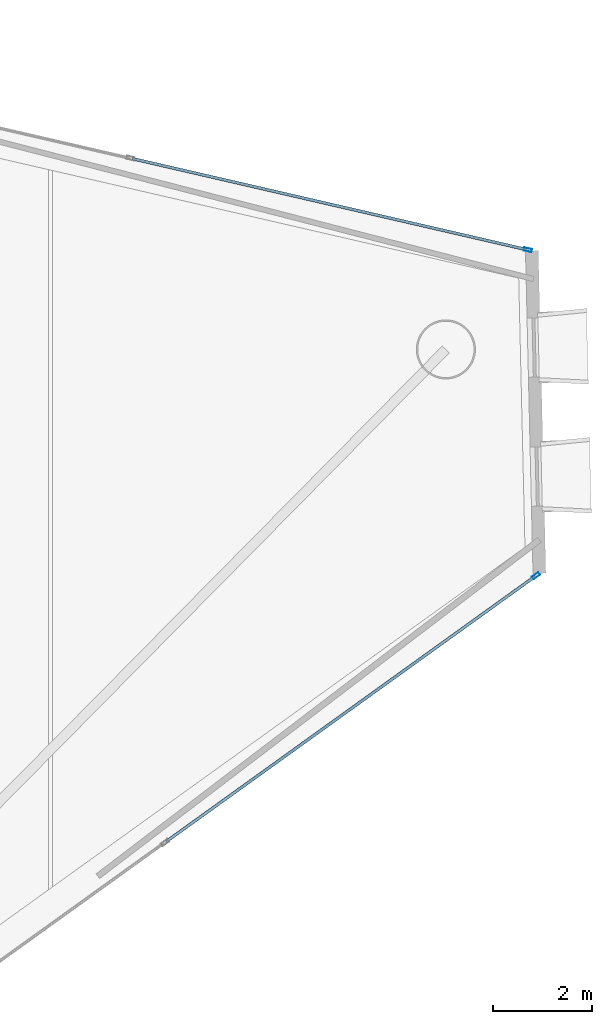
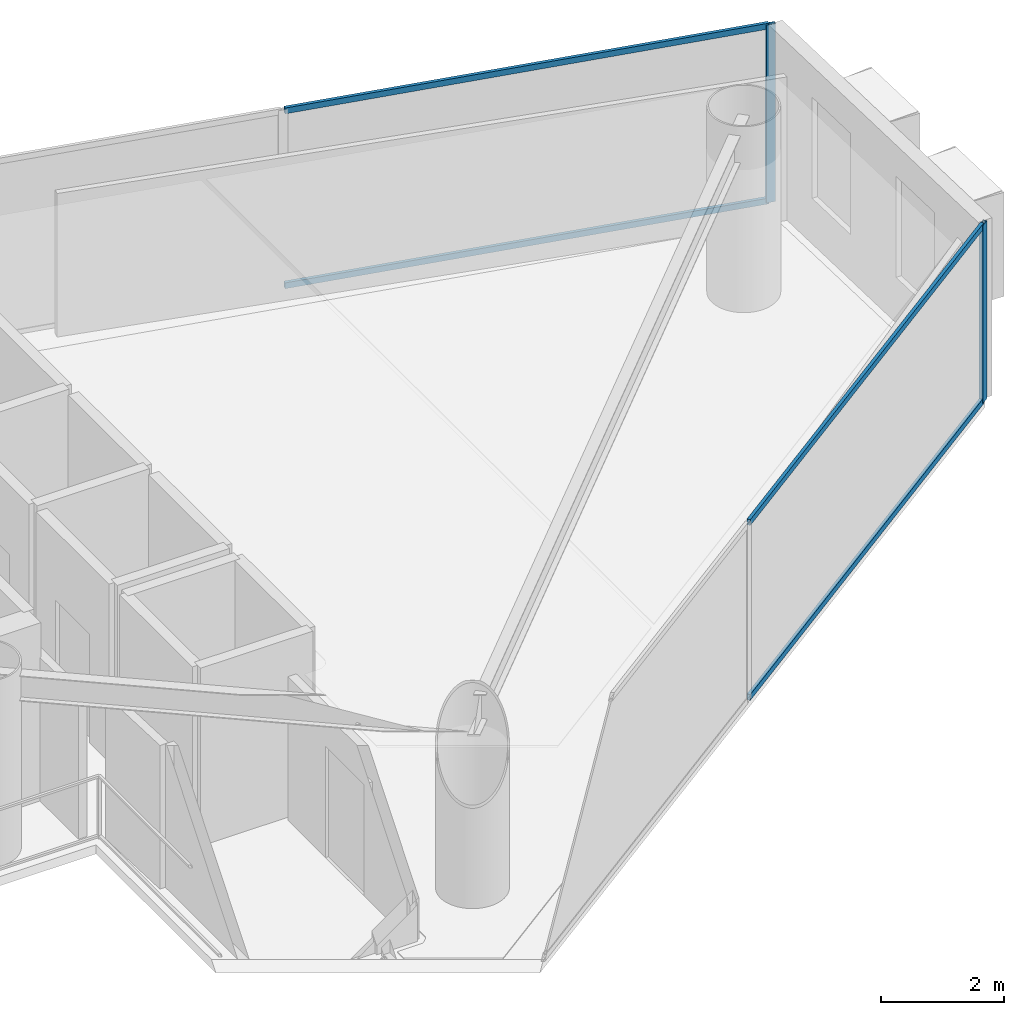
# One storey, part 14 of 22: 6 members, 2 elements without a shape of their own.
"""IFC4 building model written with IfcOpenShell, lengths in metres."""

from ifc_helpers import new_model, si_unit, direction, frame, origin, origin_2d, place, context, subcontext, project, spatial, hollow_rectangle, extrude, material, layer, layer_set, material_profile, profile_set, type_object, element, aggregate, save


model = new_model("IFC4")

# Units and contexts
model_context = context("Model", 3, precision=1e-05, world=origin(), true_north=direction((0.0, 1.0)))
body_context = subcontext(model_context, "Body", "Model", "MODEL_VIEW")
ifc_project = project(units=[si_unit("LENGTHUNIT", "METRE"), si_unit("AREAUNIT", "SQUARE_METRE"), si_unit("VOLUMEUNIT", "CUBIC_METRE"), si_unit("PLANEANGLEUNIT", "RADIAN"), si_unit("MASSUNIT", "GRAM", prefix="KILO")], contexts=[model_context])

# Site, building, storey
site_placement = place(None, origin())
site = spatial("IfcSite", under=ifc_project, at=site_placement, CompositionType="ELEMENT")
building_placement = place(site_placement, origin())
building = spatial("IfcBuilding", under=site, at=building_placement, Name="Qianvela Tower", CompositionType="ELEMENT")
storey_placement = place(building_placement, frame((0.0, 0.0, 200.300048828125)))
storey = spatial("IfcBuildingStorey", under=building, at=storey_placement, Name="L51", CompositionType="ELEMENT", Elevation=200.300048828125)

# Curtain wall, member
ifc_material_1 = material(Name="Anodised Architectural Aluminium and Low-E Glass", Category="aluminium")
ifc_layer = layer(ifc_material_1, 0.159912109375)
ifc_layer_set = layer_set([ifc_layer], Name="Anodised Architectural Aluminium and Low-E Glass")
curtain_wall_type = type_object("IfcCurtainWallType", Name="CW-COLIV-Z56", PredefinedType="USERDEFINED", material=ifc_layer_set)
curtain_wall_1_placement = place(storey_placement, origin())
curtain_wall_1 = element("IfcCurtainWall", 1, at=curtain_wall_1_placement, inside=storey, type_object=curtain_wall_type, Name="L51 CW-COLIV-Z56 Curtain Wall 02A", ObjectType="CURTAIN_WALL_SYSTEM", PredefinedType="USERDEFINED")
ifc_material_2 = material(Name="Anodised Architectural Aluminium 6063-T6", Category="aluminium")
ifc_material_profile_1 = material_profile(ifc_material_2, hollow_rectangle(XDim=0.06494140625, YDim=0.159912109375, WallThickness=0.0048828125, at=origin_2d()), Name="ALU-MULL-65x160")
ifc_profile_set_1 = profile_set([ifc_material_profile_1], Name="Anodised Architectural Aluminium 6063-T6")
member_type_1 = type_object("IfcMemberType", Name="CW-COLIV-Z56-MULL", PredefinedType="MULLION", material=ifc_profile_set_1)
member_1_placement = place(storey_placement, frame((58.560546875, 33.2880859375, 0.0), z_axis=(0.0, 0.0, 1.0), x_axis=(-0.224831349031, -0.974397693189, 0.0)))
member_1 = element("IfcMember", 2, at=member_1_placement, type_object=member_type_1, Name="CW-5 mullion 1", PredefinedType="MULLION", context=body_context, shape_type="SweptSolid", body=[
    extrude(hollow_rectangle(XDim=0.06494140625, YDim=0.159912109375, WallThickness=0.0048828125, at=origin_2d()), origin(), (0.0, 0.0, 1.0), 3.52001953125),
])

curtain_wall_2_placement = place(storey_placement, origin())
curtain_wall_2 = element("IfcCurtainWall", 3, at=curtain_wall_2_placement, inside=storey, type_object=curtain_wall_type, Name="L51 CW-COLIV-Z56 Curtain Wall 06B", ObjectType="CURTAIN_WALL_SYSTEM", PredefinedType="USERDEFINED")
member_2_placement = place(storey_placement, frame((58.726318359375, 26.68212890625, 0.0), z_axis=(0.0, 0.0, 1.0), x_axis=(-0.583724053357, 0.811952110369, 0.0)))
member_2 = element("IfcMember", 4, at=member_2_placement, type_object=member_type_1, Name="CW-5 mullion 4", PredefinedType="MULLION", context=body_context, shape_type="SweptSolid", body=[
    extrude(hollow_rectangle(XDim=0.06494140625, YDim=0.159912109375, WallThickness=0.0048828125, at=origin_2d()), origin(), (0.0, 0.0, 1.0), 3.52001953125),
])

# Member
ifc_material_3 = material(Name="Anodised Architectural Aluminium 6063-T6", Category="aluminium")
ifc_material_profile_2 = material_profile(ifc_material_3, hollow_rectangle(XDim=0.06005859375, YDim=0.114990234375, WallThickness=0.00390625, at=origin_2d()), Name="ALU-TRAN-60x115")
ifc_profile_set_2 = profile_set([ifc_material_profile_2], Name="Anodised Architectural Aluminium 6063-T6")
member_type_2 = type_object("IfcMemberType", Name="CW-COLIV-Z56-TRAN", PredefinedType="USERDEFINED", material=ifc_profile_set_2)
member_3_placement = place(storey_placement, frame((58.52880859375, 33.29541015625, 0.030029296875), z_axis=(-0.974402230817, 0.22481168248, 0.0), x_axis=(-0.22481168248, -0.974402230817, 0.0)))
member_3 = element("IfcMember", 5, at=member_3_placement, type_object=member_type_2, Name="CW-5 transom 1.1", ObjectType="TRANSOM", PredefinedType="USERDEFINED", context=body_context, shape_type="SweptSolid", body=[
    extrude(hollow_rectangle(XDim=0.06005859375, YDim=0.114990234375, WallThickness=0.00390625, at=origin_2d()), origin(), (0.0, 0.0, 1.0), 8.202392578125),
])

member_4_placement = place(storey_placement, frame((58.52880859375, 33.29541015625, 3.489990234375), z_axis=(-0.974402230817, 0.22481168248, 0.0), x_axis=(-0.22481168248, -0.974402230817, 0.0)))
member_4 = element("IfcMember", 6, at=member_4_placement, type_object=member_type_2, Name="CW-5 transom 1.2", ObjectType="TRANSOM", PredefinedType="USERDEFINED", context=body_context, shape_type="SweptSolid", body=[
    extrude(hollow_rectangle(XDim=0.06005859375, YDim=0.114990234375, WallThickness=0.00390625, at=origin_2d()), origin(), (0.0, 0.0, 1.0), 8.202392578125),
])

aggregate(curtain_wall_1, [member_1, member_3, member_4])

member_5_placement = place(storey_placement, frame((51.225830078125, 21.289794921875, 0.030029296875), z_axis=(0.811950162347, 0.58372676302, 0.0), x_axis=(-0.58372676302, 0.811950162347, 0.0)))
member_5 = element("IfcMember", 7, at=member_5_placement, type_object=member_type_2, Name="CW-5 transom 3.1", ObjectType="TRANSOM", PredefinedType="USERDEFINED", context=body_context, shape_type="SweptSolid", body=[
    extrude(hollow_rectangle(XDim=0.06005859375, YDim=0.114990234375, WallThickness=0.00390625, at=origin_2d()), origin(), (0.0, 0.0, 1.0), 9.205078125),
])

member_6_placement = place(storey_placement, frame((51.225830078125, 21.289794921875, 3.489990234375), z_axis=(0.811950162347, 0.58372676302, 0.0), x_axis=(-0.58372676302, 0.811950162347, 0.0)))
member_6 = element("IfcMember", 8, at=member_6_placement, type_object=member_type_2, Name="CW-5 transom 3.2", ObjectType="TRANSOM", PredefinedType="USERDEFINED", context=body_context, shape_type="SweptSolid", body=[
    extrude(hollow_rectangle(XDim=0.06005859375, YDim=0.114990234375, WallThickness=0.00390625, at=origin_2d()), origin(), (0.0, 0.0, 1.0), 9.205078125),
])

aggregate(curtain_wall_2, [member_2, member_5, member_6])

save(model, "model.ifc")
